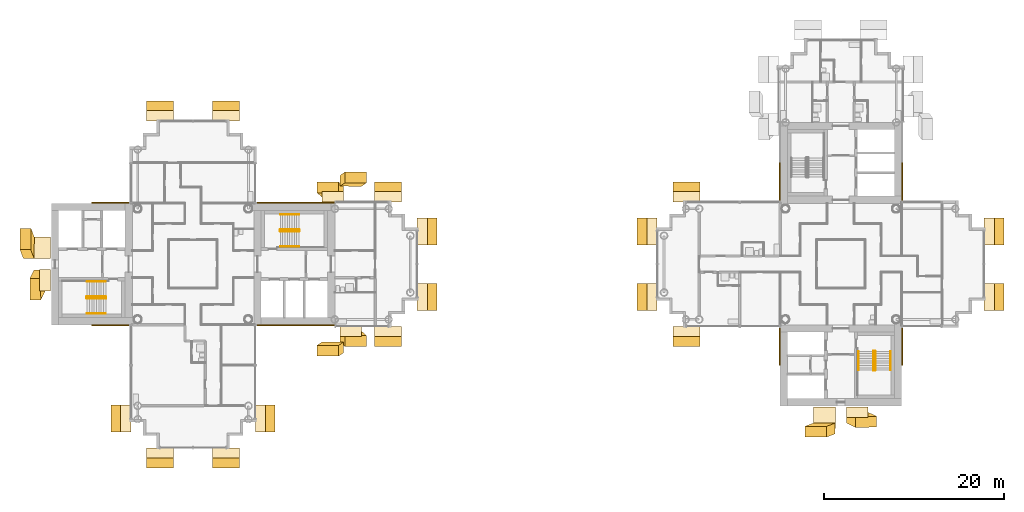
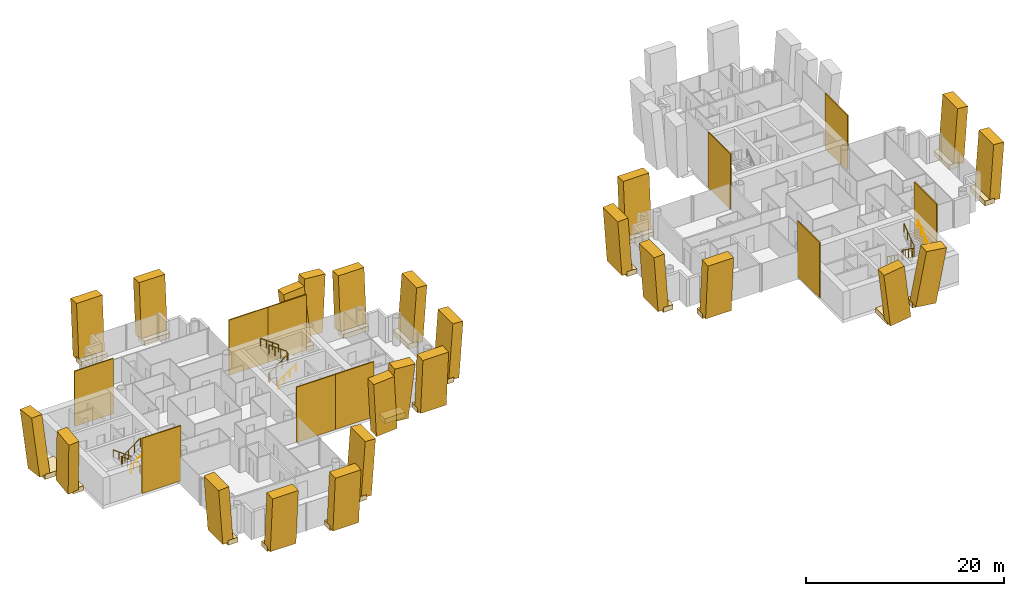
# One storey, part 16 of 18: 56 coverings, 9 railings.
"""IFC4 building model written with IfcOpenShell, lengths in metres."""

from ifc_helpers import new_model, si_unit, direction, frame, origin, origin_2d, place, context, subcontext, project, spatial, rectangle, circle, extrude, material, layer, layer_set, material_profile, profile_set, type_object, element, save


model = new_model("IFC4")

# Units and contexts
model_context = context("Model", 3, precision=1e-05, world=origin(), true_north=direction((0.0, 1.0)))
body_context = subcontext(model_context, "Body", "Model", "MODEL_VIEW")
ifc_project = project(units=[si_unit("LENGTHUNIT", "METRE"), si_unit("AREAUNIT", "SQUARE_METRE"), si_unit("VOLUMEUNIT", "CUBIC_METRE"), si_unit("PLANEANGLEUNIT", "RADIAN"), si_unit("MASSUNIT", "GRAM", prefix="KILO")], contexts=[model_context])

# Site, building, storey
site_placement = place(None, origin())
site = spatial("IfcSite", under=ifc_project, at=site_placement, CompositionType="ELEMENT")
building_placement = place(site_placement, origin())
building = spatial("IfcBuilding", under=site, at=building_placement, Name="Ipe Terrace Towers", CompositionType="ELEMENT")
storey_placement = place(building_placement, frame((0.0, 0.0, 164.300048828125)))
storey = spatial("IfcBuildingStorey", under=building, at=storey_placement, Name="L45", CompositionType="ELEMENT", Elevation=164.300048828125)

# Coverings
ifc_material_1 = material(Name="Concrete C50/60 precast, buff finish", Category="concrete")
ifc_layer = layer(ifc_material_1, 0.1201171875)
ifc_layer_set = layer_set([ifc_layer], Name="STONE CORE CLADDING 120")
covering_type_1 = type_object("IfcCoveringType", Name="STONE CORE CLADDING 120", PredefinedType="CLADDING", material=ifc_layer_set)
for number, where, z_axis, x_axis, name in (
    (1, (-45.0, -6.81005859375, 0.0), (0.0, 0.0, 1.0), (1.0, 0.0, 0.0), "stone core cladding"),
    (2, (-45.0, 6.81005859375, 0.0), (0.0, 0.0, 1.0), (-1.0, 0.0, 0.0), "stone core cladding"),
    (3, (-27.0, -6.81005859375, 0.0), (0.0, 0.0, 1.0), (1.0, 0.0, 0.0), "stone core cladding"),
):
    element("IfcCovering", number, at=place(storey_placement, frame(where, z_axis=z_axis, x_axis=x_axis)), inside=storey, type_object=covering_type_1, Name=name, PredefinedType="CLADDING", context=body_context, shape_type="SweptSolid", body=[
        extrude(rectangle(XDim=4.5, YDim=0.1201171875, at=origin_2d()), origin(), (0.0, 0.0, 1.0), 6.800048828125),
    ])
covering_1_placement = place(storey_placement, frame((-22.4990234375, -6.81005859375, 0.0), z_axis=(0.0, 0.0, 1.0), x_axis=(1.0, 0.0, 0.0)))
element("IfcCovering", 4, at=covering_1_placement, inside=storey, type_object=covering_type_1, Name="stone core cladding", PredefinedType="CLADDING", context=body_context, shape_type="SweptSolid", body=[
    extrude(rectangle(XDim=4.5009765625, YDim=0.1201171875, at=origin_2d()), origin(), (0.0, 0.0, 1.0), 6.800048828125),
])
covering_2_placement = place(storey_placement, frame((-27.0, 6.81005859375, 0.0), z_axis=(0.0, 0.0, 1.0), x_axis=(-1.0, 0.0, 0.0)))
element("IfcCovering", 5, at=covering_2_placement, inside=storey, type_object=covering_type_1, Name="stone core cladding", PredefinedType="CLADDING", context=body_context, shape_type="SweptSolid", body=[
    extrude(rectangle(XDim=4.5, YDim=0.1201171875, at=origin_2d()), origin(), (0.0, 0.0, 1.0), 6.800048828125),
])
covering_3_placement = place(storey_placement, frame((-22.4990234375, 6.81005859375, 0.0), z_axis=(0.0, 0.0, 1.0), x_axis=(-1.0, 0.0, 0.0)))
element("IfcCovering", 6, at=covering_3_placement, inside=storey, type_object=covering_type_1, Name="stone core cladding", PredefinedType="CLADDING", context=body_context, shape_type="SweptSolid", body=[
    extrude(rectangle(XDim=4.5009765625, YDim=0.1201171875, at=origin_2d()), origin(), (0.0, 0.0, 1.0), 6.800048828125),
])
for number, where, z_axis, x_axis, name in (
    (7, (29.18994140625, -9.0, 0.0), (0.0, 0.0, 1.0), (0.0, -1.0, 0.0), "stone core cladding"),
    (8, (29.18994140625, 9.0, 0.0), (0.0, 0.0, 1.0), (0.0, -1.0, 0.0), "stone core cladding"),
    (9, (42.81005859375, -9.0, 0.0), (0.0, 0.0, 1.0), (0.0, 1.0, 0.0), "stone core cladding"),
    (10, (42.81005859375, 9.0, 0.0), (0.0, 0.0, 1.0), (0.0, 1.0, 0.0), "stone core cladding"),
):
    element("IfcCovering", number, at=place(storey_placement, frame(where, z_axis=z_axis, x_axis=x_axis)), inside=storey, type_object=covering_type_1, Name=name, PredefinedType="CLADDING", context=body_context, shape_type="SweptSolid", body=[
        extrude(rectangle(XDim=4.5, YDim=0.1201171875, at=origin_2d()), origin(), (0.0, 0.0, 1.0), 6.800048828125),
    ])
ifc_material_2 = material(Name="Concrete C50/60 precast, buff finish", Category="concrete")
ifc_material_profile_1 = material_profile(ifc_material_2, rectangle(XDim=2.39990234375, YDim=1.199951171875, at=origin_2d()), Name="STONE FIN 2400 x 1200")
ifc_profile_set_1 = profile_set([ifc_material_profile_1], Name="Concrete C50/60 precast, buff finish")
covering_type_2 = type_object("IfcCoveringType", Name="STONE FIN 2400 x 1200", PredefinedType="USERDEFINED", material=ifc_profile_set_1)
covering_4_placement = place(storey_placement, frame((-20.47802734375, -9.25390625, 0.0), z_axis=(-0.079049555759, -0.054605660578, 0.995373994822), x_axis=(0.996870687569, -0.004330103459, 0.078930871462)))
element("IfcCovering", 11, at=covering_4_placement, inside=storey, type_object=covering_type_2, Name="stone fin", ObjectType="FIN", PredefinedType="USERDEFINED", context=body_context, shape_type="SweptSolid", body=[
    extrude(rectangle(XDim=2.39990234375, YDim=1.199951171875, at=origin_2d()), origin(), (0.0, 0.0, 1.0), 6.83154296875),
])
for number, where, z_axis, x_axis, name in (
    (12, (-20.47802734375, 8.053955078125, 0.0), (-0.078970833067, 0.070473971281, 0.994382736624), (-0.99687692697, -0.005582823787, -0.078773247704), "stone fin"),
    (13, (-18.471923828125, -8.053955078125, 0.0), (0.078970833067, -0.070473971281, 0.994382736624), (0.99687692697, 0.005582823787, -0.078773247704), "stone fin"),
):
    element("IfcCovering", number, at=place(storey_placement, frame(where, z_axis=z_axis, x_axis=x_axis)), inside=storey, type_object=covering_type_2, Name=name, ObjectType="FIN", PredefinedType="USERDEFINED", context=body_context, shape_type="SweptSolid", body=[
        extrude(rectangle(XDim=2.39990234375, YDim=1.199951171875, at=origin_2d()), origin(), (0.0, 0.0, 1.0), 6.83837890625),
    ])
covering_5_placement = place(storey_placement, frame((-18.471923828125, 9.25390625, 0.0), z_axis=(0.079049555759, 0.054605660578, 0.995373994822), x_axis=(-0.996870687569, 0.004330103459, 0.078930871462)))
element("IfcCovering", 14, at=covering_5_placement, inside=storey, type_object=covering_type_2, Name="stone fin", ObjectType="FIN", PredefinedType="USERDEFINED", context=body_context, shape_type="SweptSolid", body=[
    extrude(rectangle(XDim=2.39990234375, YDim=1.199951171875, at=origin_2d()), origin(), (0.0, 0.0, 1.0), 6.83154296875),
])
covering_6_placement = place(storey_placement, frame((-54.25390625, 1.81396484375, 0.0), z_axis=(-0.054222989752, 0.141874026852, 0.988398516737), x_axis=(-0.007771444225, -0.989884720816, 0.141661018456)))
element("IfcCovering", 15, at=covering_6_placement, inside=storey, type_object=covering_type_2, Name="stone fin", ObjectType="FIN", PredefinedType="USERDEFINED", context=body_context, shape_type="SweptSolid", body=[
    extrude(rectangle(XDim=2.39990234375, YDim=1.199951171875, at=origin_2d()), origin(), (0.0, 0.0, 1.0), 6.8798828125),
])
for number, where, z_axis, x_axis, name in (
    (16, (-53.053955078125, -1.81396484375, 0.0), (-0.069981069858, -0.141734709874, 0.987427932499), (0.010019900761, -0.989904678248, -0.141380089022), "stone fin"),
    (17, (37.81396484375, -17.053955078125, 0.0), (0.141734709874, -0.069981069858, 0.987427932499), (0.989904678248, 0.010019900761, -0.141380089022), "stone fin"),
):
    element("IfcCovering", number, at=place(storey_placement, frame(where, z_axis=z_axis, x_axis=x_axis)), inside=storey, type_object=covering_type_2, Name=name, ObjectType="FIN", PredefinedType="USERDEFINED", context=body_context, shape_type="SweptSolid", body=[
        extrude(rectangle(XDim=2.39990234375, YDim=1.199951171875, at=origin_2d()), origin(), (0.0, 0.0, 1.0), 6.88671875),
    ])
covering_7_placement = place(storey_placement, frame((34.18603515625, -18.25390625, 0.0), z_axis=(-0.141874026852, -0.054222989752, 0.988398516737), x_axis=(0.989884720816, -0.007771444225, 0.141661018456)))
element("IfcCovering", 18, at=covering_7_placement, inside=storey, type_object=covering_type_2, Name="stone fin", ObjectType="FIN", PredefinedType="USERDEFINED", context=body_context, shape_type="SweptSolid", body=[
    extrude(rectangle(XDim=2.39990234375, YDim=1.199951171875, at=origin_2d()), origin(), (0.0, 0.0, 1.0), 6.8798828125),
])
ifc_material_3 = material(Name="Concrete C50/60 precast, buff finish", Category="concrete")
ifc_material_profile_2 = material_profile(ifc_material_3, rectangle(XDim=3.0, YDim=1.199951171875, at=origin_2d()), Name="STONE FIN CORNER 3000 x 1200")
ifc_profile_set_2 = profile_set([ifc_material_profile_2], Name="Concrete C50/60 precast, buff finish")
covering_type_3 = type_object("IfcCoveringType", Name="STONE FIN CORNER 3000 x 1200", PredefinedType="USERDEFINED", material=ifc_profile_set_2)
for number, where, z_axis, x_axis, name in (
    (19, (-9.946044921875, -3.64990234375, 0.0), (0.070694756168, 0.0, 0.997497995712), (0.0, 1.0, 0.0), "stone fin"),
    (20, (-9.946044921875, 3.64990234375, 0.0), (0.070694756168, 0.0, 0.997497995712), (0.0, 1.0, 0.0), "stone fin"),
    (21, (-14.35009765625, -8.053955078125, 0.0), (0.0, -0.070694756168, 0.997497995712), (1.0, 0.0, 0.0), "stone fin"),
    (22, (-14.35009765625, 8.053955078125, 0.0), (0.0, 0.070694756168, 0.997497995712), (-1.0, 0.0, 0.0), "stone fin"),
    (23, (-27.946044921875, -17.14990234375, 0.0), (0.070694756168, 0.0, 0.997497995712), (0.0, 1.0, 0.0), "stone fin"),
    (24, (-32.35009765625, -21.553955078125, 0.0), (0.0, -0.070694756168, 0.997497995712), (1.0, 0.0, 0.0), "stone fin"),
    (25, (-32.35009765625, 17.053955078125, 0.0), (0.0, 0.070694756168, 0.997497995712), (-1.0, 0.0, 0.0), "stone fin"),
    (26, (-39.64990234375, -21.553955078125, 0.0), (0.0, -0.070694756168, 0.997497995712), (1.0, 0.0, 0.0), "stone fin"),
    (27, (-39.64990234375, 17.053955078125, 0.0), (0.0, 0.070694756168, 0.997497995712), (-1.0, 0.0, 0.0), "stone fin"),
    (28, (-44.053955078125, -17.14990234375, 0.0), (-0.070694756168, 0.0, 0.997497995712), (0.0, -1.0, 0.0), "stone fin"),
    (29, (14.446044921875, -3.64990234375, 0.0), (-0.070694756168, 0.0, 0.997497995712), (0.0, -1.0, 0.0), "stone fin"),
    (30, (14.446044921875, 3.64990234375, 0.0), (-0.070694756168, 0.0, 0.997497995712), (0.0, -1.0, 0.0), "stone fin"),
    (31, (18.85009765625, -8.053955078125, 0.0), (0.0, -0.070694756168, 0.997497995712), (1.0, 0.0, 0.0), "stone fin"),
    (32, (18.85009765625, 8.053955078125, 0.0), (0.0, 0.070694756168, 0.997497995712), (-1.0, 0.0, 0.0), "stone fin"),
    (33, (53.053955078125, -3.64990234375, 0.0), (0.070694756168, 0.0, 0.997497995712), (0.0, 1.0, 0.0), "stone fin"),
    (34, (53.053955078125, 3.64990234375, 0.0), (0.070694756168, 0.0, 0.997497995712), (0.0, 1.0, 0.0), "stone fin"),
):
    element("IfcCovering", number, at=place(storey_placement, frame(where, z_axis=z_axis, x_axis=x_axis)), inside=storey, type_object=covering_type_3, Name=name, ObjectType="FIN", PredefinedType="USERDEFINED", context=body_context, shape_type="SweptSolid", body=[
        extrude(rectangle(XDim=3.0, YDim=1.199951171875, at=origin_2d()), origin(), (0.0, 0.0, 1.0), 6.817138671875),
    ])
ifc_material_4 = material(Name="Concrete C50/60 precast, buff finish", Category="concrete")
covering_type_4 = type_object("IfcCoveringType", Name="STONE FIN SHELF 2400 x 600", PredefinedType="CLADDING", material=ifc_material_4)
covering_8_placement = place(storey_placement, frame((-20.47802734375, 7.45703125, -0.35009765625), z_axis=(0.0, 0.0, 1.0), x_axis=(-1.0, 0.0, 0.0)))
element("IfcCovering", 35, at=covering_8_placement, inside=storey, type_object=covering_type_4, Name="stone fin shelf", PredefinedType="CLADDING", context=body_context, shape_type="SweptSolid", body=[
    extrude(rectangle(XDim=2.39990234375, YDim=1.194091796875, at=origin_2d()), origin(), (0.0, 0.0, 1.0), 0.60009765625),
])
covering_9_placement = place(storey_placement, frame((-18.471923828125, -7.485107421875, -0.35009765625), z_axis=(0.0, 0.0, 1.0), x_axis=(1.0, 0.0, 0.0)))
element("IfcCovering", 36, at=covering_9_placement, inside=storey, type_object=covering_type_4, Name="stone fin shelf", PredefinedType="CLADDING", context=body_context, shape_type="SweptSolid", body=[
    extrude(rectangle(XDim=2.39990234375, YDim=1.137939453125, at=origin_2d()), origin(), (0.0, 0.0, 1.0), 0.60009765625),
])
covering_10_placement = place(storey_placement, frame((-53.056884765625, 1.81396484375, -0.35009765625), z_axis=(0.0, 0.0, 1.0), x_axis=(0.0, -1.0, 0.0)))
element("IfcCovering", 37, at=covering_10_placement, inside=storey, type_object=covering_type_4, Name="stone fin shelf", PredefinedType="CLADDING", context=body_context, shape_type="SweptSolid", body=[
    extrude(rectangle(XDim=2.39990234375, YDim=2.39404296875, at=origin_2d()), origin(), (0.0, 0.0, 1.0), 0.60009765625),
])
for number, where, z_axis, x_axis, name in (
    (38, (-52.45703125, -1.81396484375, -0.35009765625), (0.0, 0.0, 1.0), (0.0, -1.0, 0.0), "stone fin shelf"),
    (39, (37.81396484375, -16.45703125, -0.35009765625), (0.0, 0.0, 1.0), (1.0, 0.0, 0.0), "stone fin shelf"),
):
    element("IfcCovering", number, at=place(storey_placement, frame(where, z_axis=z_axis, x_axis=x_axis)), inside=storey, type_object=covering_type_4, Name=name, PredefinedType="CLADDING", context=body_context, shape_type="SweptSolid", body=[
        extrude(rectangle(XDim=2.39990234375, YDim=1.194091796875, at=origin_2d()), origin(), (0.0, 0.0, 1.0), 0.60009765625),
    ])
covering_11_placement = place(storey_placement, frame((34.18603515625, -17.056884765625, -0.35009765625), z_axis=(0.0, 0.0, 1.0), x_axis=(1.0, 0.0, 0.0)))
element("IfcCovering", 40, at=covering_11_placement, inside=storey, type_object=covering_type_4, Name="stone fin shelf", PredefinedType="CLADDING", context=body_context, shape_type="SweptSolid", body=[
    extrude(rectangle(XDim=2.39990234375, YDim=2.39404296875, at=origin_2d()), origin(), (0.0, 0.0, 1.0), 0.60009765625),
])
ifc_material_5 = material(Name="Concrete C50/60 precast, buff finish", Category="concrete")
covering_type_5 = type_object("IfcCoveringType", Name="STONE FIN SHELF 3000 x 600", PredefinedType="CLADDING", material=ifc_material_5)
for number, where, z_axis, x_axis, name in (
    (41, (-10.514892578125, -3.64990234375, -0.35009765625), (0.0, 0.0, 1.0), (0.0, 1.0, 0.0), "stone fin shelf"),
    (42, (-10.514892578125, 3.64990234375, -0.35009765625), (0.0, 0.0, 1.0), (0.0, 1.0, 0.0), "stone fin shelf"),
    (43, (-14.35009765625, -7.485107421875, -0.35009765625), (0.0, 0.0, 1.0), (1.0, 0.0, 0.0), "stone fin shelf"),
    (44, (-14.35009765625, 7.485107421875, -0.35009765625), (0.0, 0.0, 1.0), (-1.0, 0.0, 0.0), "stone fin shelf"),
    (45, (-28.514892578125, -17.14990234375, -0.35009765625), (0.0, 0.0, 1.0), (0.0, 1.0, 0.0), "stone fin shelf"),
    (46, (-32.35009765625, -20.985107421875, -0.35009765625), (0.0, 0.0, 1.0), (1.0, 0.0, 0.0), "stone fin shelf"),
    (47, (-32.35009765625, 16.485107421875, -0.35009765625), (0.0, 0.0, 1.0), (-1.0, 0.0, 0.0), "stone fin shelf"),
    (48, (-39.64990234375, -20.985107421875, -0.35009765625), (0.0, 0.0, 1.0), (1.0, 0.0, 0.0), "stone fin shelf"),
    (49, (-39.64990234375, 16.485107421875, -0.35009765625), (0.0, 0.0, 1.0), (-1.0, 0.0, 0.0), "stone fin shelf"),
    (50, (-43.485107421875, -17.14990234375, -0.35009765625), (0.0, 0.0, 1.0), (0.0, -1.0, 0.0), "stone fin shelf"),
    (51, (15.014892578125, -3.64990234375, -0.35009765625), (0.0, 0.0, 1.0), (0.0, -1.0, 0.0), "stone fin shelf"),
    (52, (15.014892578125, 3.64990234375, -0.35009765625), (0.0, 0.0, 1.0), (0.0, -1.0, 0.0), "stone fin shelf"),
    (53, (18.85009765625, -7.485107421875, -0.35009765625), (0.0, 0.0, 1.0), (1.0, 0.0, 0.0), "stone fin shelf"),
    (54, (18.85009765625, 7.485107421875, -0.35009765625), (0.0, 0.0, 1.0), (-1.0, 0.0, 0.0), "stone fin shelf"),
    (55, (52.485107421875, -3.64990234375, -0.35009765625), (0.0, 0.0, 1.0), (0.0, 1.0, 0.0), "stone fin shelf"),
    (56, (52.485107421875, 3.64990234375, -0.35009765625), (0.0, 0.0, 1.0), (0.0, 1.0, 0.0), "stone fin shelf"),
):
    element("IfcCovering", number, at=place(storey_placement, frame(where, z_axis=z_axis, x_axis=x_axis)), inside=storey, type_object=covering_type_5, Name=name, PredefinedType="CLADDING", context=body_context, shape_type="SweptSolid", body=[
        extrude(rectangle(XDim=3.0, YDim=1.137939453125, at=origin_2d()), origin(), (0.0, 0.0, 1.0), 0.60009765625),
    ])

# Railings
ifc_material_6 = material(Name="Steel S355", Category="steel")
railing_type_1 = type_object("IfcRailingType", Name="Stair guard 1100", PredefinedType="GUARDRAIL", material=ifc_material_6)
railing_1_placement = place(storey_placement, frame((-26.35009765625, 3.800048828125, 0.0)))
element("IfcRailing", 57, at=railing_1_placement, inside=storey, type_object=railing_type_1, Name="L45 T1-ST1 stair guard 1", PredefinedType="GUARDRAIL", context=body_context, shape_type="SweptSolid", body=[
    extrude(circle(Radius=0.02392578125, at=origin_2d()), frame((0.0, 0.0, 1.076171875), z_axis=(0.0, -1.0, 0.0), x_axis=(1.0, 0.0, 0.0)), (0.0, 0.0, 1.0), 0.150146484375),
    extrude(circle(Radius=0.02392578125, at=origin_2d()), frame((0.0, -0.150146484375, 1.076171875), z_axis=(0.248385422981, -0.247173786771, 0.936594790069), x_axis=(0.705375805398, 0.708833529934, 0.0)), (0.0, 0.0, 1.0), 0.201416015625),
    extrude(circle(Radius=0.02392578125, at=origin_2d()), frame((0.050048828125, -0.199951171875, 1.2646484375), z_axis=(0.809023421508, 0.0, 0.587776406001), x_axis=(0.0, 1.0, 0.0)), (0.0, 0.0, 1.0), 2.571044921875),
    extrude(circle(Radius=0.02392578125, at=origin_2d()), frame((2.130126953125, -0.199951171875, 2.77587890625), z_axis=(0.708833529934, 0.705375805398, 0.0), x_axis=(-0.705375805398, 0.708833529934, 0.0)), (0.0, 0.0, 1.0), 0.070556640625),
    extrude(circle(Radius=0.02392578125, at=origin_2d()), frame((2.18017578125, -0.150146484375, 2.77587890625), z_axis=(0.0, 1.0, 0.0), x_axis=(-1.0, 0.0, 0.0)), (0.0, 0.0, 1.0), 0.150146484375),
    extrude(circle(Radius=0.02392578125, at=origin_2d()), frame((2.18017578125, 0.0, 2.77587890625), z_axis=(-0.248029566107, 0.248029566107, 0.936462849596), x_axis=(-0.707106781187, -0.707106781187, 0.0)), (0.0, 0.0, 1.0), 0.201904296875),
    extrude(circle(Radius=0.02392578125, at=origin_2d()), frame((2.130126953125, 0.050048828125, 2.96484375), z_axis=(-0.809068575486, 0.0, 0.587714250432), x_axis=(0.0, -1.0, 0.0)), (0.0, 0.0, 1.0), 2.571044921875),
    extrude(circle(Radius=0.02099609375, at=origin_2d()), origin(), (0.0, 0.0, 1.0), 1.052001953125),
    extrude(circle(Radius=0.02099609375, at=origin_2d()), frame((0.0, -0.150146484375, 0.0)), (0.0, 0.0, 1.0), 1.052001953125),
    extrude(circle(Radius=0.02099609375, at=origin_2d()), frame((0.050048828125, -0.199951171875, 0.188720703125)), (0.0, 0.0, 1.0), 1.052001953125),
    extrude(circle(Radius=0.02099609375, at=origin_2d()), frame((0.743408203125, -0.199951171875, 0.6923828125)), (0.0, 0.0, 1.0), 1.052001953125),
    extrude(circle(Radius=0.02099609375, at=origin_2d()), frame((1.436767578125, -0.199951171875, 1.1962890625)), (0.0, 0.0, 1.0), 1.052001953125),
    extrude(circle(Radius=0.02099609375, at=origin_2d()), frame((2.130126953125, -0.199951171875, 1.699951171875)), (0.0, 0.0, 1.0), 1.052001953125),
    extrude(circle(Radius=0.02099609375, at=origin_2d()), frame((2.18017578125, -0.150146484375, 1.699951171875)), (0.0, 0.0, 1.0), 1.052001953125),
    extrude(circle(Radius=0.02099609375, at=origin_2d()), frame((2.18017578125, 0.0, 1.699951171875)), (0.0, 0.0, 1.0), 1.052001953125),
    extrude(circle(Radius=0.02099609375, at=origin_2d()), frame((2.130126953125, 0.050048828125, 1.888916015625)), (0.0, 0.0, 1.0), 1.052001953125),
    extrude(circle(Radius=0.02099609375, at=origin_2d()), frame((1.436767578125, 0.050048828125, 2.392578125)), (0.0, 0.0, 1.0), 1.052001953125),
    extrude(circle(Radius=0.02099609375, at=origin_2d()), frame((0.743408203125, 0.050048828125, 2.896240234375)), (0.0, 0.0, 1.0), 1.052001953125),
    extrude(circle(Radius=0.02099609375, at=origin_2d()), frame((0.050048828125, 0.050048828125, 3.39990234375)), (0.0, 0.0, 1.0), 1.052001953125),
])
railing_2_placement = place(storey_placement, frame((-45.64990234375, -3.800048828125, 0.0)))
element("IfcRailing", 58, at=railing_2_placement, inside=storey, type_object=railing_type_1, Name="L45 T1-ST2 stair guard 1", PredefinedType="GUARDRAIL", context=body_context, shape_type="SweptSolid", body=[
    extrude(circle(Radius=0.02392578125, at=origin_2d()), frame((0.0, 0.0, 1.076171875), z_axis=(0.0, 1.0, 0.0), x_axis=(-1.0, 0.0, 0.0)), (0.0, 0.0, 1.0), 0.150146484375),
    extrude(circle(Radius=0.02392578125, at=origin_2d()), frame((0.0, 0.150146484375, 1.076171875), z_axis=(-0.248385422981, 0.247173786771, 0.936594790069), x_axis=(-0.705375805398, -0.708833529934, 0.0)), (0.0, 0.0, 1.0), 0.201416015625),
    extrude(circle(Radius=0.02392578125, at=origin_2d()), frame((-0.050048828125, 0.199951171875, 1.2646484375), z_axis=(-0.809023421508, 0.0, 0.587776406001), x_axis=(0.0, -1.0, 0.0)), (0.0, 0.0, 1.0), 2.571044921875),
    extrude(circle(Radius=0.02392578125, at=origin_2d()), frame((-2.130126953125, 0.199951171875, 2.77587890625), z_axis=(-0.708833529934, -0.705375805398, 0.0), x_axis=(0.705375805398, -0.708833529934, 0.0)), (0.0, 0.0, 1.0), 0.070556640625),
    extrude(circle(Radius=0.02392578125, at=origin_2d()), frame((-2.18017578125, 0.150146484375, 2.77587890625), z_axis=(0.0, -1.0, 0.0), x_axis=(1.0, 0.0, 0.0)), (0.0, 0.0, 1.0), 0.150146484375),
    extrude(circle(Radius=0.02392578125, at=origin_2d()), frame((-2.18017578125, 0.0, 2.77587890625), z_axis=(0.248029566107, -0.248029566107, 0.936462849596), x_axis=(0.707106781187, 0.707106781187, 0.0)), (0.0, 0.0, 1.0), 0.201904296875),
    extrude(circle(Radius=0.02392578125, at=origin_2d()), frame((-2.130126953125, -0.050048828125, 2.96484375), z_axis=(0.809068575486, 0.0, 0.587714250432), x_axis=(0.0, 1.0, 0.0)), (0.0, 0.0, 1.0), 2.571044921875),
    extrude(circle(Radius=0.02099609375, at=origin_2d()), origin(), (0.0, 0.0, 1.0), 1.052001953125),
    extrude(circle(Radius=0.02099609375, at=origin_2d()), frame((0.0, 0.150146484375, 0.0)), (0.0, 0.0, 1.0), 1.052001953125),
    extrude(circle(Radius=0.02099609375, at=origin_2d()), frame((-0.050048828125, 0.199951171875, 0.188720703125)), (0.0, 0.0, 1.0), 1.052001953125),
    extrude(circle(Radius=0.02099609375, at=origin_2d()), frame((-0.743408203125, 0.199951171875, 0.6923828125)), (0.0, 0.0, 1.0), 1.052001953125),
    extrude(circle(Radius=0.02099609375, at=origin_2d()), frame((-1.436767578125, 0.199951171875, 1.1962890625)), (0.0, 0.0, 1.0), 1.052001953125),
    extrude(circle(Radius=0.02099609375, at=origin_2d()), frame((-2.130126953125, 0.199951171875, 1.699951171875)), (0.0, 0.0, 1.0), 1.052001953125),
    extrude(circle(Radius=0.02099609375, at=origin_2d()), frame((-2.18017578125, 0.150146484375, 1.699951171875)), (0.0, 0.0, 1.0), 1.052001953125),
    extrude(circle(Radius=0.02099609375, at=origin_2d()), frame((-2.18017578125, 0.0, 1.699951171875)), (0.0, 0.0, 1.0), 1.052001953125),
    extrude(circle(Radius=0.02099609375, at=origin_2d()), frame((-2.130126953125, -0.050048828125, 1.888916015625)), (0.0, 0.0, 1.0), 1.052001953125),
    extrude(circle(Radius=0.02099609375, at=origin_2d()), frame((-1.436767578125, -0.050048828125, 2.392578125)), (0.0, 0.0, 1.0), 1.052001953125),
    extrude(circle(Radius=0.02099609375, at=origin_2d()), frame((-0.743408203125, -0.050048828125, 2.896240234375)), (0.0, 0.0, 1.0), 1.052001953125),
    extrude(circle(Radius=0.02099609375, at=origin_2d()), frame((-0.050048828125, -0.050048828125, 3.39990234375)), (0.0, 0.0, 1.0), 1.052001953125),
])
railing_3_placement = place(storey_placement, frame((39.800048828125, -9.64990234375, 0.0)))
element("IfcRailing", 59, at=railing_3_placement, inside=storey, type_object=railing_type_1, Name="L45 T2-ST2 stair guard 1", PredefinedType="GUARDRAIL", context=body_context, shape_type="SweptSolid", body=[
    extrude(circle(Radius=0.02392578125, at=origin_2d()), frame((0.0, 0.0, 1.076171875), z_axis=(-1.0, 0.0, 0.0), x_axis=(0.0, -1.0, 0.0)), (0.0, 0.0, 1.0), 0.150146484375),
    extrude(circle(Radius=0.02392578125, at=origin_2d()), frame((-0.150146484375, 0.0, 1.076171875), z_axis=(-0.247173786771, -0.248385422981, 0.936594790069), x_axis=(0.708833529934, -0.705375805398, 0.0)), (0.0, 0.0, 1.0), 0.201416015625),
    extrude(circle(Radius=0.02392578125, at=origin_2d()), frame((-0.199951171875, -0.050048828125, 1.2646484375), z_axis=(0.0, -0.809023421508, 0.587776406001), x_axis=(1.0, 0.0, 0.0)), (0.0, 0.0, 1.0), 2.571044921875),
    extrude(circle(Radius=0.02392578125, at=origin_2d()), frame((-0.199951171875, -2.130126953125, 2.77587890625), z_axis=(0.705375805398, -0.708833529934, 0.0), x_axis=(0.708833529934, 0.705375805398, 0.0)), (0.0, 0.0, 1.0), 0.070556640625),
    extrude(circle(Radius=0.02392578125, at=origin_2d()), frame((-0.150146484375, -2.18017578125, 2.77587890625), z_axis=(1.0, 0.0, 0.0), x_axis=(0.0, 1.0, 0.0)), (0.0, 0.0, 1.0), 0.150146484375),
    extrude(circle(Radius=0.02392578125, at=origin_2d()), frame((0.0, -2.18017578125, 2.77587890625), z_axis=(0.248029566107, 0.248029566107, 0.936462849596), x_axis=(-0.707106781187, 0.707106781187, 0.0)), (0.0, 0.0, 1.0), 0.201904296875),
    extrude(circle(Radius=0.02392578125, at=origin_2d()), frame((0.050048828125, -2.130126953125, 2.96484375), z_axis=(0.0, 0.809068575486, 0.587714250432), x_axis=(-1.0, 0.0, 0.0)), (0.0, 0.0, 1.0), 2.571044921875),
    extrude(circle(Radius=0.02099609375, at=origin_2d()), origin(), (0.0, 0.0, 1.0), 1.052001953125),
    extrude(circle(Radius=0.02099609375, at=origin_2d()), frame((-0.150146484375, 0.0, 0.0)), (0.0, 0.0, 1.0), 1.052001953125),
    extrude(circle(Radius=0.02099609375, at=origin_2d()), frame((-0.199951171875, -0.050048828125, 0.188720703125)), (0.0, 0.0, 1.0), 1.052001953125),
    extrude(circle(Radius=0.02099609375, at=origin_2d()), frame((-0.199951171875, -0.743408203125, 0.6923828125)), (0.0, 0.0, 1.0), 1.052001953125),
    extrude(circle(Radius=0.02099609375, at=origin_2d()), frame((-0.199951171875, -1.436767578125, 1.1962890625)), (0.0, 0.0, 1.0), 1.052001953125),
    extrude(circle(Radius=0.02099609375, at=origin_2d()), frame((-0.199951171875, -2.130126953125, 1.699951171875)), (0.0, 0.0, 1.0), 1.052001953125),
    extrude(circle(Radius=0.02099609375, at=origin_2d()), frame((-0.150146484375, -2.18017578125, 1.699951171875)), (0.0, 0.0, 1.0), 1.052001953125),
    extrude(circle(Radius=0.02099609375, at=origin_2d()), frame((0.0, -2.18017578125, 1.699951171875)), (0.0, 0.0, 1.0), 1.052001953125),
    extrude(circle(Radius=0.02099609375, at=origin_2d()), frame((0.050048828125, -2.130126953125, 1.888916015625)), (0.0, 0.0, 1.0), 1.052001953125),
    extrude(circle(Radius=0.02099609375, at=origin_2d()), frame((0.050048828125, -1.436767578125, 2.392578125)), (0.0, 0.0, 1.0), 1.052001953125),
    extrude(circle(Radius=0.02099609375, at=origin_2d()), frame((0.050048828125, -0.743408203125, 2.896240234375)), (0.0, 0.0, 1.0), 1.052001953125),
    extrude(circle(Radius=0.02099609375, at=origin_2d()), frame((0.050048828125, -0.050048828125, 3.39990234375)), (0.0, 0.0, 1.0), 1.052001953125),
])
ifc_material_7 = material(Name="Stainless steel grade 304", Category="steel")
railing_type_2 = type_object("IfcRailingType", Name="Stair handrail 900", PredefinedType="HANDRAIL", material=ifc_material_7)
railing_4_placement = place(storey_placement, frame((-26.300048828125, 1.949951171875, 0.188720703125)))
element("IfcRailing", 60, at=railing_4_placement, inside=storey, type_object=railing_type_2, Name="L45 T1-ST1 stair handrail 1", PredefinedType="HANDRAIL", context=body_context, shape_type="SweptSolid", body=[
    extrude(circle(Radius=0.02392578125, at=origin_2d()), frame((0.0, 0.0, 0.8759765625), z_axis=(0.809023421508, 0.0, 0.587776406001), x_axis=(0.0, 1.0, 0.0)), (0.0, 0.0, 1.0), 2.571044921875),
    extrude(circle(Radius=0.02099609375, at=origin_2d()), origin(), (0.0, 0.0, 1.0), 0.851806640625),
    extrude(circle(Radius=0.02099609375, at=origin_2d()), frame((0.693359375, 0.0, 0.503662109375)), (0.0, 0.0, 1.0), 0.851806640625),
    extrude(circle(Radius=0.02099609375, at=origin_2d()), frame((1.38671875, 0.0, 1.007568359375)), (0.0, 0.0, 1.0), 0.851806640625),
    extrude(circle(Radius=0.02099609375, at=origin_2d()), frame((2.080078125, 0.0, 1.51123046875)), (0.0, 0.0, 1.0), 0.851806640625),
])
railing_5_placement = place(storey_placement, frame((-24.219970703125, 5.5, 1.888916015625)))
element("IfcRailing", 61, at=railing_5_placement, inside=storey, type_object=railing_type_2, Name="L45 T1-ST1 stair handrail 2", PredefinedType="HANDRAIL", context=body_context, shape_type="SweptSolid", body=[
    extrude(circle(Radius=0.02392578125, at=origin_2d()), frame((0.0, 0.0, 0.8759765625), z_axis=(-0.809068575486, 0.0, 0.587714250432), x_axis=(0.0, -1.0, 0.0)), (0.0, 0.0, 1.0), 2.571044921875),
    extrude(circle(Radius=0.02099609375, at=origin_2d()), origin(), (0.0, 0.0, 1.0), 0.851806640625),
    extrude(circle(Radius=0.02099609375, at=origin_2d()), frame((-0.693359375, 0.0, 0.503662109375)), (0.0, 0.0, 1.0), 0.851806640625),
    extrude(circle(Radius=0.02099609375, at=origin_2d()), frame((-1.38671875, 0.0, 1.00732421875)), (0.0, 0.0, 1.0), 0.851806640625),
    extrude(circle(Radius=0.02099609375, at=origin_2d()), frame((-2.080078125, 0.0, 1.510986328125)), (0.0, 0.0, 1.0), 0.851806640625),
])
railing_6_placement = place(storey_placement, frame((-45.699951171875, -1.949951171875, 0.188720703125)))
element("IfcRailing", 62, at=railing_6_placement, inside=storey, type_object=railing_type_2, Name="L45 T1-ST2 stair handrail 1", PredefinedType="HANDRAIL", context=body_context, shape_type="SweptSolid", body=[
    extrude(circle(Radius=0.02392578125, at=origin_2d()), frame((0.0, 0.0, 0.8759765625), z_axis=(-0.809023421508, 0.0, 0.587776406001), x_axis=(0.0, -1.0, 0.0)), (0.0, 0.0, 1.0), 2.571044921875),
    extrude(circle(Radius=0.02099609375, at=origin_2d()), origin(), (0.0, 0.0, 1.0), 0.851806640625),
    extrude(circle(Radius=0.02099609375, at=origin_2d()), frame((-0.693359375, 0.0, 0.503662109375)), (0.0, 0.0, 1.0), 0.851806640625),
    extrude(circle(Radius=0.02099609375, at=origin_2d()), frame((-1.38671875, 0.0, 1.007568359375)), (0.0, 0.0, 1.0), 0.851806640625),
    extrude(circle(Radius=0.02099609375, at=origin_2d()), frame((-2.080078125, 0.0, 1.51123046875)), (0.0, 0.0, 1.0), 0.851806640625),
])
railing_7_placement = place(storey_placement, frame((-47.780029296875, -5.5, 1.888916015625)))
element("IfcRailing", 63, at=railing_7_placement, inside=storey, type_object=railing_type_2, Name="L45 T1-ST2 stair handrail 2", PredefinedType="HANDRAIL", context=body_context, shape_type="SweptSolid", body=[
    extrude(circle(Radius=0.02392578125, at=origin_2d()), frame((0.0, 0.0, 0.8759765625), z_axis=(0.809068575486, 0.0, 0.587714250432), x_axis=(0.0, 1.0, 0.0)), (0.0, 0.0, 1.0), 2.571044921875),
    extrude(circle(Radius=0.02099609375, at=origin_2d()), origin(), (0.0, 0.0, 1.0), 0.851806640625),
    extrude(circle(Radius=0.02099609375, at=origin_2d()), frame((0.693359375, 0.0, 0.503662109375)), (0.0, 0.0, 1.0), 0.851806640625),
    extrude(circle(Radius=0.02099609375, at=origin_2d()), frame((1.38671875, 0.0, 1.00732421875)), (0.0, 0.0, 1.0), 0.851806640625),
    extrude(circle(Radius=0.02099609375, at=origin_2d()), frame((2.080078125, 0.0, 1.510986328125)), (0.0, 0.0, 1.0), 0.851806640625),
])
railing_8_placement = place(storey_placement, frame((37.949951171875, -9.699951171875, 0.188720703125)))
element("IfcRailing", 64, at=railing_8_placement, inside=storey, type_object=railing_type_2, Name="L45 T2-ST2 stair handrail 1", PredefinedType="HANDRAIL", context=body_context, shape_type="SweptSolid", body=[
    extrude(circle(Radius=0.02392578125, at=origin_2d()), frame((0.0, 0.0, 0.8759765625), z_axis=(0.0, -0.809023421508, 0.587776406001), x_axis=(1.0, 0.0, 0.0)), (0.0, 0.0, 1.0), 2.571044921875),
    extrude(circle(Radius=0.02099609375, at=origin_2d()), origin(), (0.0, 0.0, 1.0), 0.851806640625),
    extrude(circle(Radius=0.02099609375, at=origin_2d()), frame((0.0, -0.693359375, 0.503662109375)), (0.0, 0.0, 1.0), 0.851806640625),
    extrude(circle(Radius=0.02099609375, at=origin_2d()), frame((0.0, -1.38671875, 1.007568359375)), (0.0, 0.0, 1.0), 0.851806640625),
    extrude(circle(Radius=0.02099609375, at=origin_2d()), frame((0.0, -2.080078125, 1.51123046875)), (0.0, 0.0, 1.0), 0.851806640625),
])
railing_9_placement = place(storey_placement, frame((41.5, -11.780029296875, 1.888916015625)))
element("IfcRailing", 65, at=railing_9_placement, inside=storey, type_object=railing_type_2, Name="L45 T2-ST2 stair handrail 2", PredefinedType="HANDRAIL", context=body_context, shape_type="SweptSolid", body=[
    extrude(circle(Radius=0.02392578125, at=origin_2d()), frame((0.0, 0.0, 0.8759765625), z_axis=(0.0, 0.809068575486, 0.587714250432), x_axis=(-1.0, 0.0, 0.0)), (0.0, 0.0, 1.0), 2.571044921875),
    extrude(circle(Radius=0.02099609375, at=origin_2d()), origin(), (0.0, 0.0, 1.0), 0.851806640625),
    extrude(circle(Radius=0.02099609375, at=origin_2d()), frame((0.0, 0.693359375, 0.503662109375)), (0.0, 0.0, 1.0), 0.851806640625),
    extrude(circle(Radius=0.02099609375, at=origin_2d()), frame((0.0, 1.38671875, 1.00732421875)), (0.0, 0.0, 1.0), 0.851806640625),
    extrude(circle(Radius=0.02099609375, at=origin_2d()), frame((0.0, 2.080078125, 1.510986328125)), (0.0, 0.0, 1.0), 0.851806640625),
])

save(model, "model.ifc")
